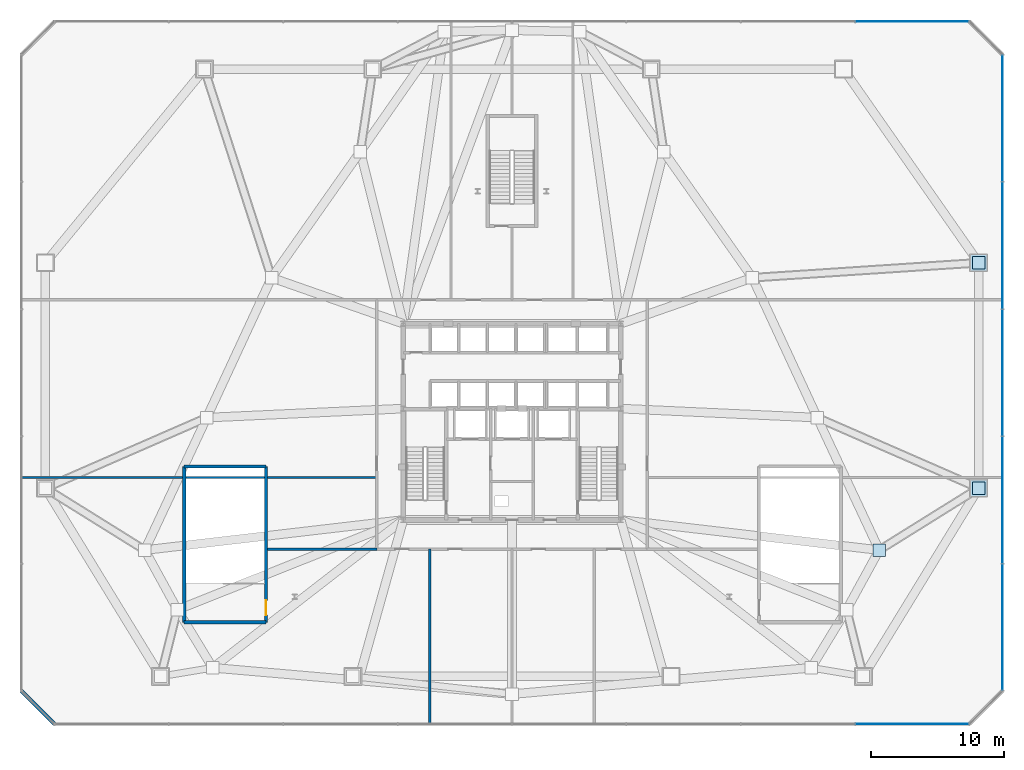
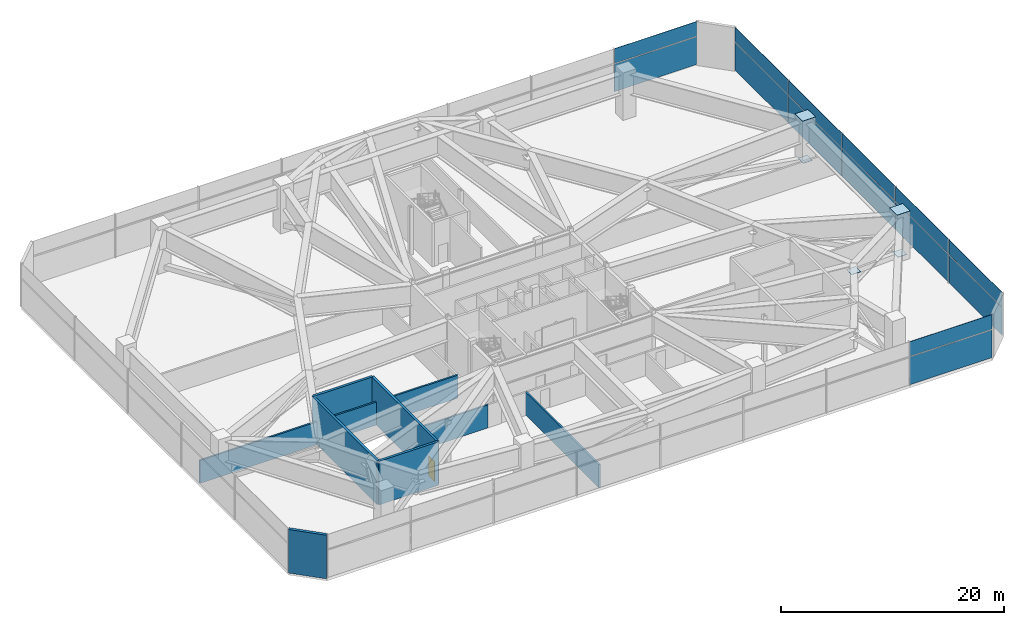
# One storey, part 21 of 29: 19 plates, 8 walls, 1 door, 1 opening, 3 elements without a shape of their own.
"""IFC4 building model written with IfcOpenShell, lengths in metres."""

import ifcopenshell
import ifcopenshell.guid

model = None  # the IFC model being written
_history = None  # IfcOwnerHistory: only IFC2X3 demands one
_inside = {}  # id of a spatial element -> (the spatial element, [elements in it])
_under = {}  # id of a project, library or spatial element -> (it, [spatial elements below it])
_declared = {}  # id of a project -> (the project, [libraries it declares])
_typed = {}  # id of a type object -> (the type object, [elements of that type])
_made_of = {}  # id of a material, layer set ... -> (it, [elements and type objects made of it])


def new_model(schema):
    """Start an empty IFC model of exactly this schema.

    Asked for "IFC4X3", IfcOpenShell would pick the latest addendum, in which some entities
    have other attributes; the version numbers below select the first issue.
    IFC2X3 requires an IfcOwnerHistory on every rooted entity: one is made here for all.
    """
    global model, _history
    if schema == "IFC4X3":
        model = ifcopenshell.file(schema_version=(4, 3, 0, 0))
    else:
        model = ifcopenshell.file(schema=schema)
    _inside.clear()
    _under.clear()
    _declared.clear()
    _typed.clear()
    _made_of.clear()
    _history = None
    if model.schema == "IFC2X3":
        org = make("IfcOrganization", Name="unknown")
        user = make(
            "IfcPersonAndOrganization",
            ThePerson=make("IfcPerson", FamilyName="unknown"),
            TheOrganization=org,
        )
        app = make(
            "IfcApplication",
            ApplicationDeveloper=org,
            Version="unknown",
            ApplicationFullName="unknown",
            ApplicationIdentifier="unknown",
        )
        _history = make(
            "IfcOwnerHistory",
            OwningUser=user,
            OwningApplication=app,
            ChangeAction="ADDED",
            CreationDate=0,
        )
    return model


def make(cls, **values):
    """One entity of the class cls with the attributes given. An attribute that is None is left unset."""
    return model.create_entity(
        cls, **{name: value for name, value in values.items() if value is not None}
    )


def rooted(cls, **values):
    """An entity with a GlobalId (a new one), such as an element, a storey or a relation."""
    return make(cls, GlobalId=ifcopenshell.guid.new(), OwnerHistory=_history, **values)


def si_unit(unit_type, name, prefix=None):
    """IfcSIUnit, for example si_unit("LENGTHUNIT", "METRE", prefix="MILLI")."""
    return make("IfcSIUnit", UnitType=unit_type, Prefix=prefix, Name=name)


def assignment(units):
    """IfcUnitAssignment: the units of a project."""
    return None if units is None else make("IfcUnitAssignment", Units=units)


def point(xyz):
    """IfcCartesianPoint."""
    return None if xyz is None else make("IfcCartesianPoint", Coordinates=xyz)


def direction(xyz):
    """IfcDirection."""
    return None if xyz is None else make("IfcDirection", DirectionRatios=xyz)


def frame(location, z_axis=None, x_axis=None):
    """IfcAxis2Placement3D, a coordinate frame: its origin and axes. An axis left out is left unset."""
    return make(
        "IfcAxis2Placement3D",
        Location=point(location),
        Axis=direction(z_axis),
        RefDirection=direction(x_axis),
    )


def frame_2d(location, x_axis=None):
    """IfcAxis2Placement2D, a coordinate frame in the plane: its origin and x axis."""
    return make(
        "IfcAxis2Placement2D", Location=point(location), RefDirection=direction(x_axis)
    )


def origin():
    """The frame at (0, 0, 0) with its axes left unset."""
    return frame((0.0, 0.0, 0.0))


def origin_2d():
    """The frame at (0, 0) in the plane with its x axis left unset."""
    return frame_2d((0.0, 0.0))


def place(relative_to, where):
    """IfcLocalPlacement: puts the frame where relative to a parent placement (None: the world)."""
    return make(
        "IfcLocalPlacement", PlacementRelTo=relative_to, RelativePlacement=where
    )


def context(
    kind, dimensions, precision=None, world=None, true_north=None, identifier=None
):
    """IfcGeometricRepresentationContext, for example the 3D "Model" context."""
    return make(
        "IfcGeometricRepresentationContext",
        ContextIdentifier=identifier,
        ContextType=kind,
        CoordinateSpaceDimension=dimensions,
        Precision=precision,
        WorldCoordinateSystem=world,
        TrueNorth=true_north,
    )


def subcontext(parent, identifier, kind, view, scale=None):
    """IfcGeometricRepresentationSubContext, for example "Body" below "Model"."""
    return make(
        "IfcGeometricRepresentationSubContext",
        ContextIdentifier=identifier,
        ContextType=kind,
        ParentContext=parent,
        TargetScale=scale,
        TargetView=view,
    )


def project(units=None, contexts=None):
    """IfcProject with its units and contexts."""
    return rooted(
        "IfcProject",
        Name="project",
        RepresentationContexts=contexts,
        UnitsInContext=assignment(units),
    )


def spatial(cls, under=None, at=None, **own):
    """A site, building, storey or space (cls), placed at a placement, below another one or the project."""
    s = rooted(cls, ObjectPlacement=at, **own)
    if under is not None:
        _under.setdefault(under.id(), (under, []))[1].append(s)
    return s


def profile(cls, at=None, kind="AREA", **sizes):
    """A parametric profile (cls). Its sizes go by their IFC names, for example OverallWidth=200.0."""
    return make(cls, ProfileType=kind, Position=at, **sizes)


def rectangle(**sizes):
    """IfcRectangleProfileDef."""
    return profile("IfcRectangleProfileDef", **sizes)


def extrude(swept, where, along, depth):
    """IfcExtrudedAreaSolid: the profile swept, set in the frame where, extruded along a direction by depth."""
    return make(
        "IfcExtrudedAreaSolid",
        SweptArea=swept,
        Position=where,
        ExtrudedDirection=direction(along),
        Depth=depth,
    )


def shape(context_of_items, identifier, shape_type, items):
    """IfcShapeRepresentation: the items that make up one representation, for example the "Body"."""
    return make(
        "IfcShapeRepresentation",
        ContextOfItems=context_of_items,
        RepresentationIdentifier=identifier,
        RepresentationType=shape_type,
        Items=items,
    )


def source(mapping_origin, context_of_items, identifier, shape_type, items):
    """IfcRepresentationMap: a shape defined once, which mapped items show again and again."""
    return make(
        "IfcRepresentationMap",
        MappingOrigin=mapping_origin,
        MappedRepresentation=shape(context_of_items, identifier, shape_type, items),
    )


def transform(
    local_origin,
    x_axis=None,
    y_axis=None,
    z_axis=None,
    scale=None,
    scale2=None,
    scale3=None,
    uniform=True,
):
    """IfcCartesianTransformationOperator3D, or its non-uniform kind. x_axis, y_axis, z_axis: its Axis1, 2, 3."""
    if uniform:
        return make(
            "IfcCartesianTransformationOperator3D",
            Axis1=direction(x_axis),
            Axis2=direction(y_axis),
            LocalOrigin=point(local_origin),
            Scale=scale,
            Axis3=direction(z_axis),
        )
    return make(
        "IfcCartesianTransformationOperator3DnonUniform",
        Axis1=direction(x_axis),
        Axis2=direction(y_axis),
        LocalOrigin=point(local_origin),
        Scale=scale,
        Axis3=direction(z_axis),
        Scale2=scale2,
        Scale3=scale3,
    )


def mapped(mapping_source, mapping_target):
    """IfcMappedItem: shows the shape of a source again, moved by a transform."""
    return make(
        "IfcMappedItem", MappingSource=mapping_source, MappingTarget=mapping_target
    )


def material(Name=None, Category=None):
    """IfcMaterial."""
    return make("IfcMaterial", Name=Name, Category=Category)


def layer(
    of_material, thickness, ventilated=None, Name=None, Category=None, Priority=None
):
    """IfcMaterialLayer: one layer of a wall or slab, of a material (None: an air gap)."""
    return make(
        "IfcMaterialLayer",
        Material=of_material,
        LayerThickness=thickness,
        IsVentilated=ventilated,
        Name=Name,
        Category=Category,
        Priority=Priority,
    )


def layer_set(layers, Name=None):
    """IfcMaterialLayerSet."""
    return make("IfcMaterialLayerSet", MaterialLayers=layers, LayerSetName=Name)


def made_of(thing, what):
    """Note that an element or type object is made of a material, layer set ...; save() writes the relation."""
    if what is not None:
        _made_of.setdefault(what.id(), (what, []))[1].append(thing)
    return thing


def type_object(cls, material=None, **own):
    """A type object (cls), such as IfcWallType, which elements share."""
    return made_of(rooted(cls, **own), material)


def type_shapes(of_type, sources):
    """Give a type object the sources (RepresentationMaps) that its elements show as mapped items."""
    of_type.RepresentationMaps = sources


def element(
    cls,
    number,
    at=None,
    inside=None,
    cuts=None,
    type_object=None,
    material=None,
    context=None,
    identifier="Body",
    shape_type=None,
    held_by="IfcProductDefinitionShape",
    body=None,
    shapes=None,
    **own,
):
    """One element of the class cls, such as IfcWall. Its Tag is "e" and its number.

    at: its placement. inside: the storey or other place that contains it. cuts: it is an
    opening in that element (IfcRelVoidsElement). A single representation is given by context,
    identifier, shape_type and body (its items); several are given by shapes. held_by: the class
    of the entity that holds the representations. save() writes the other relations.
    """
    e = rooted(cls, Tag="e%d" % number, ObjectPlacement=at, **own)
    if body is not None:
        shapes = [shape(context, identifier, shape_type, body)]
    if shapes is not None:
        e.Representation = make(held_by, Representations=shapes)
    if inside is not None:
        _inside.setdefault(inside.id(), (inside, []))[1].append(e)
    if cuts is not None:
        rooted(
            "IfcRelVoidsElement", RelatingBuildingElement=cuts, RelatedOpeningElement=e
        )
    if type_object is not None:
        _typed.setdefault(type_object.id(), (type_object, []))[1].append(e)
    return made_of(e, material)


def fill(opening, filler):
    """IfcRelFillsElement: the door or window that sits in an opening."""
    return rooted(
        "IfcRelFillsElement",
        RelatingOpeningElement=opening,
        RelatedBuildingElement=filler,
    )


def aggregate(whole, parts):
    """IfcRelAggregates: a whole, such as a stair, and the parts it consists of."""
    return rooted("IfcRelAggregates", RelatingObject=whole, RelatedObjects=parts)


def save(model, path):
    """Write the relations noted so far, then the file.

    IfcRelAggregates (storeys below a building ...), IfcRelContainedInSpatialStructure (elements
    in a storey), IfcRelDefinesByType, IfcRelAssociatesMaterial and IfcRelDeclares: one each for
    every whole, place, type object, material and project.
    """
    for whole, parts in _under.values():
        aggregate(whole, parts)
    for where, things in _inside.values():
        rooted(
            "IfcRelContainedInSpatialStructure",
            RelatedElements=things,
            RelatingStructure=where,
        )
    for kind, things in _typed.values():
        rooted("IfcRelDefinesByType", RelatedObjects=things, RelatingType=kind)
    for what, things in _made_of.values():
        rooted("IfcRelAssociatesMaterial", RelatedObjects=things, RelatingMaterial=what)
    for by, libraries in _declared.values():
        rooted("IfcRelDeclares", RelatingContext=by, RelatedDefinitions=libraries)
    model.write(path)


model = new_model("IFC4")

# Units and contexts
model_context = context("Model", 3, precision=1e-05, world=origin(), true_north=direction((0.0, 1.0)))
body_context = subcontext(model_context, "Body", "Model", "MODEL_VIEW")
ifc_project = project(units=[si_unit("LENGTHUNIT", "METRE"), si_unit("AREAUNIT", "SQUARE_METRE"), si_unit("VOLUMEUNIT", "CUBIC_METRE"), si_unit("PLANEANGLEUNIT", "RADIAN"), si_unit("MASSUNIT", "GRAM", prefix="KILO")], contexts=[model_context])

# Site, building, storey
site_placement = place(None, origin())
site = spatial("IfcSite", under=ifc_project, at=site_placement, CompositionType="ELEMENT")
building_placement = place(site_placement, origin())
building = spatial("IfcBuilding", under=site, at=building_placement, Name="Varakhsha Concourse Tower", CompositionType="ELEMENT")
storey_placement = place(building_placement, frame((0.0, 0.0, 22.0)))
storey = spatial("IfcBuildingStorey", under=building, at=storey_placement, Name="L05", CompositionType="ELEMENT", Elevation=22.0)

# Plates
ifc_material_1 = material(Name="Structural Steel ASTM A572 Grade 50", Category="steel")
ifc_layer_1 = layer(ifc_material_1, 0.034912109375, Name="PL-ENDCAP-1350")
ifc_layer_set_1 = layer_set([ifc_layer_1], Name="Structural Steel ASTM A572 Grade 50")
plate_type_1 = type_object("IfcPlateType", Name="PL-ENDCAP-1350", PredefinedType="USERDEFINED", material=ifc_layer_set_1)
shared_shape_1 = source(origin(), body_context, "Body", "SweptSolid", [
    extrude(rectangle(XDim=1.35009765625, YDim=1.35009765625, at=origin_2d()), origin(), (0.0, 0.0, 1.0), 0.034912109375),
])
type_shapes(plate_type_1, [shared_shape_1])
for number, where, z_axis, x_axis, name in (
    (1, (75.199951171875, 18.800048828125, 5.1826171875), (0.0, 0.0, 1.0), (1.0, 0.0, 0.0), "Hollow Section End Cap EP-PC-E1-TOP"),
    (2, (75.199951171875, 35.800048828125, 5.1826171875), (0.0, 0.0, 1.0), (1.0, 0.0, 0.0), "Hollow Section End Cap EP-PC-E2-TOP"),
):
    element("IfcPlate", number, at=place(storey_placement, frame(where, z_axis=z_axis, x_axis=x_axis)), inside=storey, type_object=plate_type_1, Name=name, ObjectType="END PLATE", PredefinedType="USERDEFINED", context=body_context, shape_type="MappedRepresentation", body=[
        mapped(shared_shape_1, transform((0.0, 0.0, 0.0), scale=1.0)),
    ])
ifc_layer_2 = layer(ifc_material_1, 0.030029296875, Name="PL-ENDCAP-950")
ifc_layer_set_2 = layer_set([ifc_layer_2], Name="Structural Steel ASTM A572 Grade 50")
plate_type_2 = type_object("IfcPlateType", Name="PL-ENDCAP-950", PredefinedType="USERDEFINED", material=ifc_layer_set_2)
shared_shape_2 = source(origin(), body_context, "Body", "SweptSolid", [
    extrude(rectangle(XDim=0.949951171875, YDim=0.949951171875, at=origin_2d()), origin(), (0.0, 0.0, 1.0), 0.030029296875),
])
type_shapes(plate_type_2, [shared_shape_2])
for number, where, z_axis, x_axis, name in (
    (3, (67.697265625, 14.125732421875, 3.93994140625), (0.0, 0.0, 1.0), (1.0, 0.0, 0.0), "Hollow Section End Cap GP-L05-15"),
    (4, (75.199951171875, 18.800048828125, 0.384765625), (0.0, 0.0, 1.0), (1.0, 0.0, 0.0), "Hollow Section End Cap GP-NODE-L05-0008"),
    (5, (75.199951171875, 35.800048828125, 0.384765625), (0.0, 0.0, 1.0), (1.0, 0.0, 0.0), "Hollow Section End Cap GP-NODE-L05-0009"),
):
    element("IfcPlate", number, at=place(storey_placement, frame(where, z_axis=z_axis, x_axis=x_axis)), inside=storey, type_object=plate_type_2, Name=name, ObjectType="END PLATE", PredefinedType="USERDEFINED", context=body_context, shape_type="MappedRepresentation", body=[
        mapped(shared_shape_2, transform((0.0, 0.0, 0.0), scale=1.0)),
    ])

# Curtain wall, plate
ifc_material_2 = material(Name="Anodised Bronze Architectural Aluminium AA 6063-T6", Category="aluminium")
ifc_layer_3 = layer(ifc_material_2, 0.260009765625, Name="CW-SYS-06")
ifc_layer_set_3 = layer_set([ifc_layer_3], Name="Anodised Bronze Architectural Aluminium AA 6063-T6")
curtain_wall_type = type_object("IfcCurtainWallType", Name="CW-SYS-06", PredefinedType="NOTDEFINED", material=ifc_layer_set_3)
curtain_wall_1_placement = place(storey_placement, origin())
curtain_wall_1 = element("IfcCurtainWall", 6, at=curtain_wall_1_placement, inside=storey, type_object=curtain_wall_type, Name="L05 Podium Curtain Wall 01", PredefinedType="NOTDEFINED")
ifc_material_3 = material(Name="Extruded Bronze Storm-Proof Acoustic Louvre", Category="aluminium")
ifc_layer_4 = layer(ifc_material_3, 0.050048828125, Name="CWP-LVR-50")
ifc_layer_set_4 = layer_set([ifc_layer_4], Name="Extruded Bronze Storm-Proof Acoustic Louvre")
plate_type_3 = type_object("IfcPlateType", Name="CWP-LVR-50", PredefinedType="USERDEFINED", material=ifc_layer_set_4)
shared_shape_3 = source(origin(), body_context, "Body", "SweptSolid", [
    extrude(rectangle(XDim=8.5458984375, YDim=0.050048828125, at=origin_2d()), origin(), (0.0, 0.0, 1.0), 3.031005859375),
])
plate_1_placement = place(storey_placement, frame((70.1875, 1.0, 0.03466796875), z_axis=(0.0, 0.0, 1.0), x_axis=(1.0, 0.0, 0.0)))
plate_1 = element("IfcPlate", 7, at=plate_1_placement, type_object=plate_type_3, Name="CW-POD-L05-01 Panel 07-00", ObjectType="LOUVRE", PredefinedType="USERDEFINED", context=body_context, shape_type="MappedRepresentation", body=[
    mapped(shared_shape_3, transform((0.0, 0.0, 0.0), scale=1.0)),
])

curtain_wall_2_placement = place(storey_placement, origin())
curtain_wall_2 = element("IfcCurtainWall", 8, at=curtain_wall_2_placement, inside=storey, type_object=curtain_wall_type, Name="L05 Podium Curtain Wall 05", PredefinedType="NOTDEFINED")
plate_2_placement = place(storey_placement, frame((70.1875, 54.0, 0.03466796875), z_axis=(0.0, 0.0, 1.0), x_axis=(-1.0, 0.0, 0.0)))
plate_2 = element("IfcPlate", 9, at=plate_2_placement, type_object=plate_type_3, Name="CW-POD-L05-05 Panel 00-00", ObjectType="LOUVRE", PredefinedType="USERDEFINED", context=body_context, shape_type="MappedRepresentation", body=[
    mapped(shared_shape_3, transform((0.0, 0.0, 0.0), scale=1.0)),
])

# Plate
ifc_material_4 = material(Name="Glazed Turquoise-Bronze Ceramic Spandrel Panel 38 mm", Category="ceramic")
ifc_layer_5 = layer(ifc_material_4, 0.0380859375, Name="CWP-SPN-38")
ifc_layer_set_5 = layer_set([ifc_layer_5], Name="Glazed Turquoise-Bronze Ceramic Spandrel Panel 38 mm")
plate_type_4 = type_object("IfcPlateType", Name="CWP-SPN-38", PredefinedType="USERDEFINED", material=ifc_layer_set_5)
shared_shape_4 = source(origin(), body_context, "Body", "SweptSolid", [
    extrude(rectangle(XDim=8.5458984375, YDim=0.0380859375, at=origin_2d()), origin(), (0.0, 0.0, 1.0), 1.611083984375),
])
plate_3_placement = place(storey_placement, frame((70.1875, 1.0, 3.13427734375), z_axis=(0.0, 0.0, 1.0), x_axis=(1.0, 0.0, 0.0)))
plate_3 = element("IfcPlate", 10, at=plate_3_placement, type_object=plate_type_4, Name="CW-POD-L05-01 Panel 07-01", ObjectType="SPANDREL", PredefinedType="USERDEFINED", context=body_context, shape_type="MappedRepresentation", body=[
    mapped(shared_shape_4, transform((0.0, 0.0, 0.0), scale=1.0)),
])

aggregate(curtain_wall_1, [plate_1, plate_3])

plate_4_placement = place(storey_placement, frame((70.1875, 54.0, 3.13427734375), z_axis=(0.0, 0.0, 1.0), x_axis=(-1.0, 0.0, 0.0)))
plate_4 = element("IfcPlate", 11, at=plate_4_placement, type_object=plate_type_4, Name="CW-POD-L05-05 Panel 00-01", ObjectType="SPANDREL", PredefinedType="USERDEFINED", context=body_context, shape_type="MappedRepresentation", body=[
    mapped(shared_shape_4, transform((0.0, 0.0, 0.0), scale=1.0)),
])

aggregate(curtain_wall_2, [plate_2, plate_4])

# Curtain wall, plates
curtain_wall_3_placement = place(storey_placement, origin())
curtain_wall_3 = element("IfcCurtainWall", 12, at=curtain_wall_3_placement, inside=storey, type_object=curtain_wall_type, Name="L05 Podium Curtain Wall 03", PredefinedType="NOTDEFINED")
shared_shape_5 = source(origin(), body_context, "Body", "SweptSolid", [
    extrude(rectangle(XDim=9.52099609375, YDim=0.050048828125, at=origin_2d()), origin(), (0.0, 0.0, 1.0), 3.031005859375),
])
type_shapes(plate_type_3, [shared_shape_3, shared_shape_5])
plate_5_placement = place(storey_placement, frame((77.0, 8.300048828125, 0.03466796875), z_axis=(0.0, 0.0, 1.0), x_axis=(0.0, 1.0, 0.0)))
plate_5 = element("IfcPlate", 13, at=plate_5_placement, type_object=plate_type_3, Name="CW-POD-L05-03 Panel 00-00", ObjectType="LOUVRE", PredefinedType="USERDEFINED", context=body_context, shape_type="MappedRepresentation", body=[
    mapped(shared_shape_5, transform((0.0, 0.0, 0.0), scale=1.0)),
])
plate_6_placement = place(storey_placement, frame((77.0, 17.89990234375, 0.03466796875), z_axis=(0.0, 0.0, 1.0), x_axis=(0.0, 1.0, 0.0)))
plate_6 = element("IfcPlate", 14, at=plate_6_placement, type_object=plate_type_3, Name="CW-POD-L05-03 Panel 01-00", ObjectType="LOUVRE", PredefinedType="USERDEFINED", context=body_context, shape_type="MappedRepresentation", body=[
    mapped(shared_shape_5, transform((0.0, 0.0, 0.0), scale=1.0)),
])
plate_7_placement = place(storey_placement, frame((77.0, 27.5, 0.03466796875), z_axis=(0.0, 0.0, 1.0), x_axis=(0.0, 1.0, 0.0)))
plate_7 = element("IfcPlate", 15, at=plate_7_placement, type_object=plate_type_3, Name="CW-POD-L05-03 Panel 02-00", ObjectType="LOUVRE", PredefinedType="USERDEFINED", context=body_context, shape_type="MappedRepresentation", body=[
    mapped(shared_shape_5, transform((0.0, 0.0, 0.0), scale=1.0)),
])
plate_8_placement = place(storey_placement, frame((77.0, 37.10009765625, 0.03466796875), z_axis=(0.0, 0.0, 1.0), x_axis=(0.0, 1.0, 0.0)))
plate_8 = element("IfcPlate", 16, at=plate_8_placement, type_object=plate_type_3, Name="CW-POD-L05-03 Panel 03-00", ObjectType="LOUVRE", PredefinedType="USERDEFINED", context=body_context, shape_type="MappedRepresentation", body=[
    mapped(shared_shape_5, transform((0.0, 0.0, 0.0), scale=1.0)),
])
plate_9_placement = place(storey_placement, frame((77.0, 46.699951171875, 0.03466796875), z_axis=(0.0, 0.0, 1.0), x_axis=(0.0, 1.0, 0.0)))
plate_9 = element("IfcPlate", 17, at=plate_9_placement, type_object=plate_type_3, Name="CW-POD-L05-03 Panel 04-00", ObjectType="LOUVRE", PredefinedType="USERDEFINED", context=body_context, shape_type="MappedRepresentation", body=[
    mapped(shared_shape_5, transform((0.0, 0.0, 0.0), scale=1.0)),
])
shared_shape_6 = source(origin(), body_context, "Body", "SweptSolid", [
    extrude(rectangle(XDim=9.52099609375, YDim=0.0380859375, at=origin_2d()), origin(), (0.0, 0.0, 1.0), 1.611083984375),
])
type_shapes(plate_type_4, [shared_shape_4, shared_shape_6])
plate_10_placement = place(storey_placement, frame((77.0, 8.300048828125, 3.13427734375), z_axis=(0.0, 0.0, 1.0), x_axis=(0.0, 1.0, 0.0)))
plate_10 = element("IfcPlate", 18, at=plate_10_placement, type_object=plate_type_4, Name="CW-POD-L05-03 Panel 00-01", ObjectType="SPANDREL", PredefinedType="USERDEFINED", context=body_context, shape_type="MappedRepresentation", body=[
    mapped(shared_shape_6, transform((0.0, 0.0, 0.0), scale=1.0)),
])
plate_11_placement = place(storey_placement, frame((77.0, 17.89990234375, 3.13427734375), z_axis=(0.0, 0.0, 1.0), x_axis=(0.0, 1.0, 0.0)))
plate_11 = element("IfcPlate", 19, at=plate_11_placement, type_object=plate_type_4, Name="CW-POD-L05-03 Panel 01-01", ObjectType="SPANDREL", PredefinedType="USERDEFINED", context=body_context, shape_type="MappedRepresentation", body=[
    mapped(shared_shape_6, transform((0.0, 0.0, 0.0), scale=1.0)),
])
plate_12_placement = place(storey_placement, frame((77.0, 27.5, 3.13427734375), z_axis=(0.0, 0.0, 1.0), x_axis=(0.0, 1.0, 0.0)))
plate_12 = element("IfcPlate", 20, at=plate_12_placement, type_object=plate_type_4, Name="CW-POD-L05-03 Panel 02-01", ObjectType="SPANDREL", PredefinedType="USERDEFINED", context=body_context, shape_type="MappedRepresentation", body=[
    mapped(shared_shape_6, transform((0.0, 0.0, 0.0), scale=1.0)),
])
plate_13_placement = place(storey_placement, frame((77.0, 37.10009765625, 3.13427734375), z_axis=(0.0, 0.0, 1.0), x_axis=(0.0, 1.0, 0.0)))
plate_13 = element("IfcPlate", 21, at=plate_13_placement, type_object=plate_type_4, Name="CW-POD-L05-03 Panel 03-01", ObjectType="SPANDREL", PredefinedType="USERDEFINED", context=body_context, shape_type="MappedRepresentation", body=[
    mapped(shared_shape_6, transform((0.0, 0.0, 0.0), scale=1.0)),
])
plate_14_placement = place(storey_placement, frame((77.0, 46.699951171875, 3.13427734375), z_axis=(0.0, 0.0, 1.0), x_axis=(0.0, 1.0, 0.0)))
plate_14 = element("IfcPlate", 22, at=plate_14_placement, type_object=plate_type_4, Name="CW-POD-L05-03 Panel 04-01", ObjectType="SPANDREL", PredefinedType="USERDEFINED", context=body_context, shape_type="MappedRepresentation", body=[
    mapped(shared_shape_6, transform((0.0, 0.0, 0.0), scale=1.0)),
])
aggregate(curtain_wall_3, [plate_5, plate_10, plate_6, plate_11, plate_7, plate_12, plate_8, plate_13, plate_9, plate_14])

# Walls
ifc_material_5 = material(Name="Concrete fc 45 MPa", Category="concrete")
ifc_layer_6 = layer(ifc_material_5, 0.300048828125, Name="WL-EXT-POD-300")
ifc_layer_set_6 = layer_set([ifc_layer_6], Name="Concrete fc 45 MPa")
wall_type_1 = type_object("IfcWallType", Name="WL-EXT-POD-300", PredefinedType="STANDARD", material=ifc_layer_set_6)
wall_1_placement = place(storey_placement, frame((3.0, 3.5, 0.0), z_axis=(0.0, 0.0, 1.0), x_axis=(0.707106781187, -0.707106781187, 0.0)))
element("IfcWall", 23, at=wall_1_placement, inside=storey, type_object=wall_type_1, Name="L05 Podium Chamfer Wall 7", PredefinedType="STANDARD", context=body_context, shape_type="SweptSolid", body=[
    extrude(rectangle(XDim=3.53564453125, YDim=0.300048828125, at=frame_2d((1.767822265625, 0.0))), origin(), (0.0, 0.0, 1.0), 4.780029296875),
])
ifc_material_6 = material(Name="Fire-Rated Type X Gypsum Partition Assembly", Category="gypsum")
ifc_layer_7 = layer(ifc_material_6, 0.179931640625, Name="WL-PART-180")
ifc_layer_set_7 = layer_set([ifc_layer_7], Name="Fire-Rated Type X Gypsum Partition Assembly")
wall_type_2 = type_object("IfcWallType", Name="WL-PART-180", PredefinedType="PARTITIONING", material=ifc_layer_set_7)
wall_2_placement = place(storey_placement, frame((3.0400390625, 19.60009765625, 0.0), z_axis=(0.0, 0.0, 1.0), x_axis=(1.0, 0.0, 0.0)))
element("IfcWall", 24, at=wall_2_placement, inside=storey, type_object=wall_type_2, Name="L05 Wall PDIV-WS-L05", PredefinedType="PARTITIONING", context=body_context, shape_type="SweptSolid", body=[
    extrude(rectangle(XDim=26.760009765625, YDim=0.179931640625, at=frame_2d((13.3798828125, 0.0))), origin(), (0.0, 0.0, 1.0), 2.52001953125),
])
wall_3_placement = place(storey_placement, frame((33.800048828125, 1.0400390625, 0.0), z_axis=(0.0, 0.0, 1.0), x_axis=(0.0, 1.0, 0.0)))
element("IfcWall", 25, at=wall_3_placement, inside=storey, type_object=wall_type_2, Name="L05 Wall PDIV-S1-L05", PredefinedType="PARTITIONING", context=body_context, shape_type="SweptSolid", body=[
    extrude(rectangle(XDim=13.159912109375, YDim=0.179931640625, at=frame_2d((6.580078125, 0.0))), origin(), (0.0, 0.0, 1.0), 2.52001953125),
])
wall_4_placement = place(storey_placement, frame((21.570068359375, 14.199951171875, 0.0), z_axis=(0.0, 0.0, 1.0), x_axis=(1.0, 0.0, 0.0)))
element("IfcWall", 26, at=wall_4_placement, inside=storey, type_object=wall_type_2, Name="L05 Wall PDIV-L05-ST3E", PredefinedType="PARTITIONING", context=body_context, shape_type="SweptSolid", body=[
    extrude(rectangle(XDim=8.22998046875, YDim=0.179931640625, at=frame_2d((4.114990234375, 0.0))), origin(), (0.0, 0.0, 1.0), 2.52001953125),
])
ifc_layer_8 = layer(ifc_material_5, 0.25, Name="WL-STAIR-250")
ifc_layer_set_8 = layer_set([ifc_layer_8], Name="Concrete fc 45 MPa")
wall_type_3 = type_object("IfcWallType", Name="WL-STAIR-250", PredefinedType="SHEAR", material=ifc_layer_set_8)
for number, where, z_axis, x_axis, name in (
    (27, (15.27490234375, 20.425048828125, 0.0), (0.0, 0.0, 1.0), (1.0, 0.0, 0.0), "L05 Wall ST3W-N-L05"),
    (28, (15.27490234375, 8.675048828125, 0.0), (0.0, 0.0, 1.0), (1.0, 0.0, 0.0), "L05 Wall ST3W-S-L05"),
):
    element("IfcWall", number, at=place(storey_placement, frame(where, z_axis=z_axis, x_axis=x_axis)), inside=storey, type_object=wall_type_3, Name=name, PredefinedType="SHEAR", context=body_context, shape_type="SweptSolid", body=[
        extrude(rectangle(XDim=6.170166015625, YDim=0.25, at=frame_2d((3.0849609375, 0.0))), origin(), (0.0, 0.0, 1.0), 4.780029296875),
    ])
wall_5_placement = place(storey_placement, frame((15.27490234375, 8.675048828125, 0.0), z_axis=(0.0, 0.0, 1.0), x_axis=(0.0, 1.0, 0.0)))
element("IfcWall", 29, at=wall_5_placement, inside=storey, type_object=wall_type_3, Name="L05 Wall ST3W-W-L05", PredefinedType="SHEAR", context=body_context, shape_type="SweptSolid", body=[
    extrude(rectangle(XDim=11.75, YDim=0.25, at=frame_2d((5.875, 0.0))), origin(), (0.0, 0.0, 1.0), 4.780029296875),
])

# Wall, opening, door
wall_6_placement = place(storey_placement, frame((21.445068359375, 8.675048828125, 0.0), z_axis=(0.0, 0.0, 1.0), x_axis=(0.0, 1.0, 0.0)))
wall_6 = element("IfcWall", 30, at=wall_6_placement, inside=storey, type_object=wall_type_3, Name="L05 Wall ST3W-E-L05", PredefinedType="SHEAR", context=body_context, shape_type="SweptSolid", body=[
    extrude(rectangle(XDim=11.75, YDim=0.25, at=frame_2d((5.875, 0.0))), origin(), (0.0, 0.0, 1.0), 4.780029296875),
])
opening_placement = place(wall_6_placement, frame((0.550048828125, 0.0, 0.0)))
opening = element("IfcOpeningElement", 31, at=opening_placement, cuts=wall_6, Name="Opening DF-02", PredefinedType="OPENING", context=body_context, shape_type="SweptSolid", body=[
    extrude(rectangle(XDim=1.10009765625, YDim=2.14990234375, at=frame_2d((0.550048828125, 1.074951171875))), frame((0.0, 0.135009765625, 0.0), z_axis=(0.0, -1.0, 0.0), x_axis=(1.0, 0.0, 0.0)), (0.0, 0.0, 1.0), 0.27001953125),
])
ifc_material_7 = material(Name="Hollow Galvanised Steel Fire Door Assembly", Category="steel")
door_type = type_object("IfcDoorType", Name="DR-FD90-1100", OperationType="NOTDEFINED", PredefinedType="DOOR", material=ifc_material_7)
door_placement = place(opening_placement, origin())
door = element("IfcDoor", 32, at=door_placement, inside=storey, type_object=door_type, Name="L05 Stair ST3 Door", OperationType="SINGLE_SWING_LEFT", OverallHeight=2.14990234375, OverallWidth=1.10009765625, PredefinedType="DOOR", context=body_context, shape_type="SweptSolid", body=[
    extrude(rectangle(XDim=1.10009765625, YDim=2.14990234375, at=frame_2d((0.550048828125, 1.074951171875))), frame((0.0, 0.02490234375, 0.0), z_axis=(0.0, -1.0, 0.0), x_axis=(1.0, 0.0, 0.0)), (0.0, 0.0, 1.0), 0.050048828125),
])
fill(opening, door)

save(model, "model.ifc")
